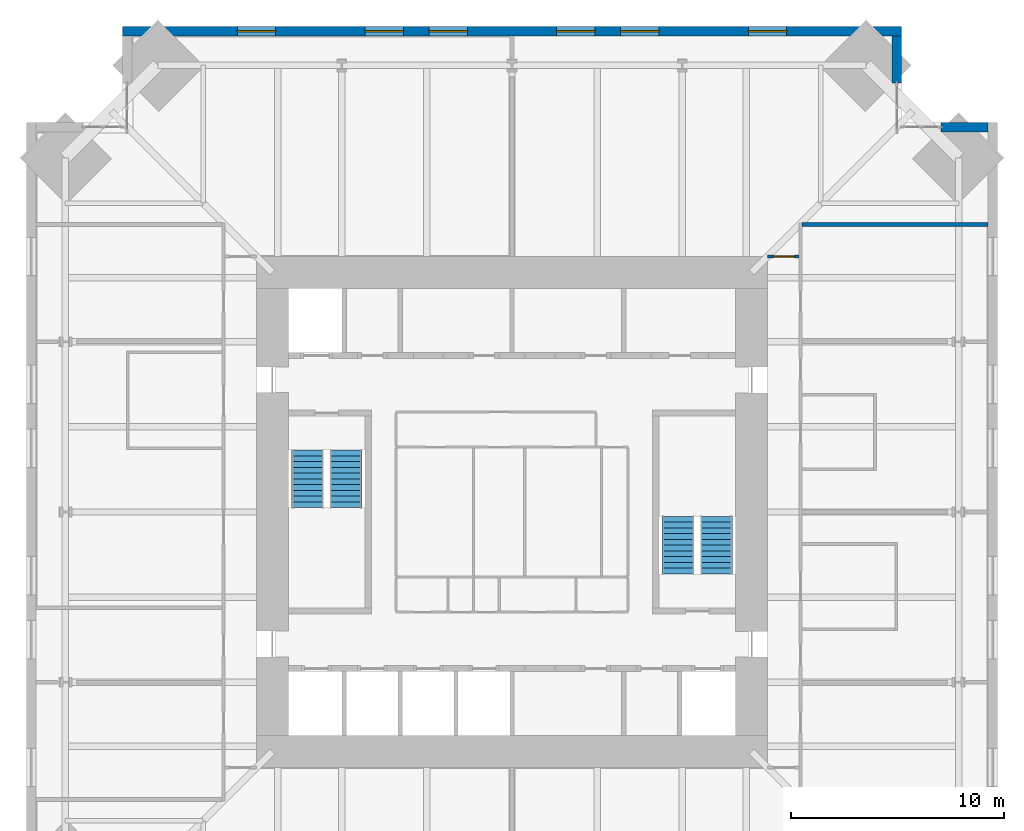
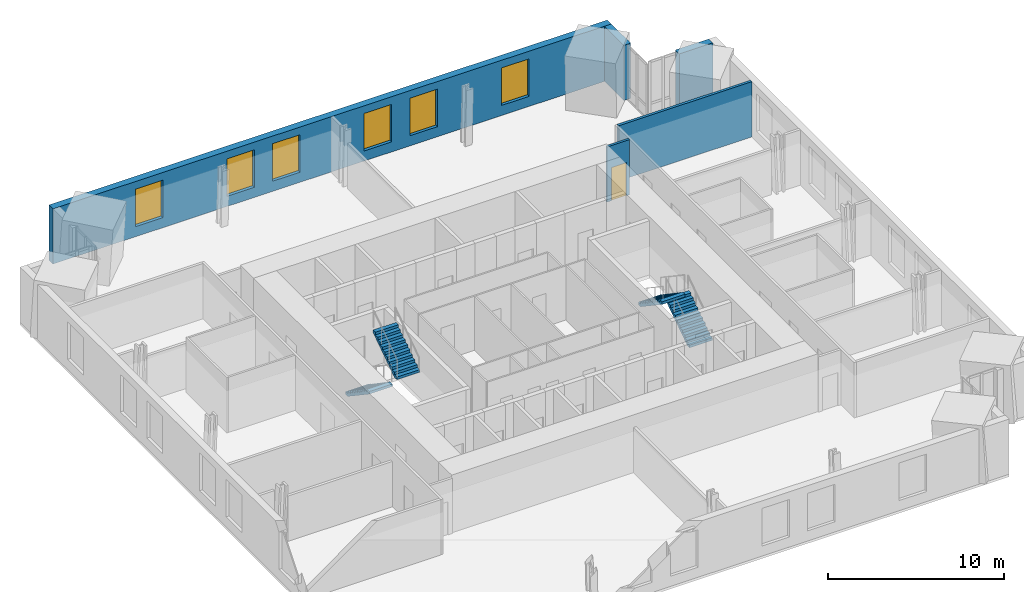
# One storey, part 14 of 15: 6 windows, 5 walls, 4 stair flights, 1 door, 7 openings, 2 elements without a shape of their own.
"""IFC4 building model written with IfcOpenShell, lengths in metres."""

from ifc_helpers import new_model, si_unit, direction, frame, frame_2d, origin, place, context, subcontext, project, spatial, polyline, rectangle, outline, extrude, material, layer, layer_set, type_object, element, fill, aggregate, save


model = new_model("IFC4")

# Units and contexts
model_context = context("Model", 3, precision=1e-05, world=origin(), true_north=direction((0.0, 1.0)))
body_context = subcontext(model_context, "Body", "Model", "MODEL_VIEW")
ifc_project = project(units=[si_unit("LENGTHUNIT", "METRE"), si_unit("AREAUNIT", "SQUARE_METRE"), si_unit("VOLUMEUNIT", "CUBIC_METRE"), si_unit("PLANEANGLEUNIT", "RADIAN"), si_unit("MASSUNIT", "GRAM", prefix="KILO")], contexts=[model_context])

# Site, building, storey
site_placement = place(None, origin())
site = spatial("IfcSite", under=ifc_project, at=site_placement, CompositionType="ELEMENT")
building_placement = place(site_placement, origin())
building = spatial("IfcBuilding", under=site, at=building_placement, Name="Peilmerk Tower", CompositionType="ELEMENT")
storey_placement = place(building_placement, frame((0.0, 0.0, 245.800048828125)))
storey = spatial("IfcBuildingStorey", under=building, at=storey_placement, Name="L54", CompositionType="ELEMENT", Elevation=245.800048828125)

# Wall, openings, windows
ifc_material_1 = material(Name="Precast concrete C45/55, board-marked finish", Category="concrete")
ifc_layer_1 = layer(ifc_material_1, 0.449951171875)
ifc_layer_set_1 = layer_set([ifc_layer_1], Name="Precast concrete C45/55, board-marked finish")
wall_type_1 = type_object("IfcWallType", Name="EW1 450 precast concrete facade wall, board-marked", PredefinedType="SOLIDWALL", material=ifc_layer_set_1)
wall_1_placement = place(storey_placement, frame((18.300048828125, 22.574951171875, 0.0), z_axis=(0.0, 0.0, 1.0), x_axis=(-1.0, 0.0, 0.0)))
wall_1 = element("IfcWall", 1, at=wall_1_placement, inside=storey, type_object=wall_type_1, Name="Facade wall N L54", PredefinedType="SOLIDWALL", context=body_context, shape_type="SweptSolid", body=[
    extrude(rectangle(XDim=36.60009765625, YDim=0.449951171875, at=frame_2d((18.300048828125, 0.0))), origin(), (0.0, 0.0, 1.0), 3.829833984375),
])
opening_1_placement = place(wall_1_placement, frame((5.39990234375, 0.0, 0.699951171875)))
opening_1 = element("IfcOpeningElement", 2, at=opening_1_placement, cuts=wall_1, Name="Opening W1", PredefinedType="OPENING", context=body_context, shape_type="SweptSolid", body=[
    extrude(rectangle(XDim=1.800048828125, YDim=2.60009765625, at=frame_2d((0.89990234375, 1.300048828125))), frame((0.0, 0.23486328125, 0.0), z_axis=(0.0, -1.0, 0.0), x_axis=(1.0, 0.0, 0.0)), (0.0, 0.0, 1.0), 0.469970703125),
])
opening_2_placement = place(wall_1_placement, frame((11.39990234375, 0.0, 0.699951171875)))
opening_2 = element("IfcOpeningElement", 3, at=opening_2_placement, cuts=wall_1, Name="Opening W1", PredefinedType="OPENING", context=body_context, shape_type="SweptSolid", body=[
    extrude(rectangle(XDim=1.800048828125, YDim=2.60009765625, at=frame_2d((0.89990234375, 1.300048828125))), frame((0.0, 0.23486328125, 0.0), z_axis=(0.0, -1.0, 0.0), x_axis=(1.0, 0.0, 0.0)), (0.0, 0.0, 1.0), 0.469970703125),
])
opening_3_placement = place(wall_1_placement, frame((14.39990234375, 0.0, 0.699951171875)))
opening_3 = element("IfcOpeningElement", 4, at=opening_3_placement, cuts=wall_1, Name="Opening W1", PredefinedType="OPENING", context=body_context, shape_type="SweptSolid", body=[
    extrude(rectangle(XDim=1.800048828125, YDim=2.60009765625, at=frame_2d((0.89990234375, 1.300048828125))), frame((0.0, 0.23486328125, 0.0), z_axis=(0.0, -1.0, 0.0), x_axis=(1.0, 0.0, 0.0)), (0.0, 0.0, 1.0), 0.469970703125),
])
opening_4_placement = place(wall_1_placement, frame((20.39990234375, 0.0, 0.699951171875)))
opening_4 = element("IfcOpeningElement", 5, at=opening_4_placement, cuts=wall_1, Name="Opening W1", PredefinedType="OPENING", context=body_context, shape_type="SweptSolid", body=[
    extrude(rectangle(XDim=1.800048828125, YDim=2.60009765625, at=frame_2d((0.89990234375, 1.300048828125))), frame((0.0, 0.23486328125, 0.0), z_axis=(0.0, -1.0, 0.0), x_axis=(1.0, 0.0, 0.0)), (0.0, 0.0, 1.0), 0.469970703125),
])
opening_5_placement = place(wall_1_placement, frame((23.39990234375, 0.0, 0.699951171875)))
opening_5 = element("IfcOpeningElement", 6, at=opening_5_placement, cuts=wall_1, Name="Opening W1", PredefinedType="OPENING", context=body_context, shape_type="SweptSolid", body=[
    extrude(rectangle(XDim=1.800048828125, YDim=2.60009765625, at=frame_2d((0.89990234375, 1.300048828125))), frame((0.0, 0.23486328125, 0.0), z_axis=(0.0, -1.0, 0.0), x_axis=(1.0, 0.0, 0.0)), (0.0, 0.0, 1.0), 0.469970703125),
])
opening_6_placement = place(wall_1_placement, frame((29.39990234375, 0.0, 0.699951171875)))
opening_6 = element("IfcOpeningElement", 7, at=opening_6_placement, cuts=wall_1, Name="Opening W1", PredefinedType="OPENING", context=body_context, shape_type="SweptSolid", body=[
    extrude(rectangle(XDim=1.800048828125, YDim=2.60009765625, at=frame_2d((0.89990234375, 1.300048828125))), frame((0.0, 0.23486328125, 0.0), z_axis=(0.0, -1.0, 0.0), x_axis=(1.0, 0.0, 0.0)), (0.0, 0.0, 1.0), 0.469970703125),
])
ifc_material_2 = material(Name="Aluminium frame, clear double glazing", Category="aluminium")
window_type = type_object("IfcWindowType", Name="W1 1800x2600 office window", PartitioningType="SINGLE_PANEL", PredefinedType="WINDOW", material=ifc_material_2)
window_1_placement = place(opening_1_placement, origin())
window_1 = element("IfcWindow", 8, at=window_1_placement, inside=storey, type_object=window_type, Name="Window W1 L54", OverallHeight=2.60009765625, OverallWidth=1.800048828125, PartitioningType="SINGLE_PANEL", PredefinedType="WINDOW", context=body_context, shape_type="SweptSolid", body=[
    extrude(rectangle(XDim=1.800048828125, YDim=2.60009765625, at=frame_2d((0.89990234375, 1.300048828125))), frame((0.0, 0.030029296875, 0.0), z_axis=(0.0, -1.0, 0.0), x_axis=(1.0, 0.0, 0.0)), (0.0, 0.0, 1.0), 0.06005859375),
])
fill(opening_1, window_1)
window_2_placement = place(opening_2_placement, origin())
window_2 = element("IfcWindow", 9, at=window_2_placement, inside=storey, type_object=window_type, Name="Window W1 L54", OverallHeight=2.60009765625, OverallWidth=1.800048828125, PartitioningType="SINGLE_PANEL", PredefinedType="WINDOW", context=body_context, shape_type="SweptSolid", body=[
    extrude(rectangle(XDim=1.800048828125, YDim=2.60009765625, at=frame_2d((0.89990234375, 1.300048828125))), frame((0.0, 0.030029296875, 0.0), z_axis=(0.0, -1.0, 0.0), x_axis=(1.0, 0.0, 0.0)), (0.0, 0.0, 1.0), 0.06005859375),
])
fill(opening_2, window_2)
window_3_placement = place(opening_3_placement, origin())
window_3 = element("IfcWindow", 10, at=window_3_placement, inside=storey, type_object=window_type, Name="Window W1 L54", OverallHeight=2.60009765625, OverallWidth=1.800048828125, PartitioningType="SINGLE_PANEL", PredefinedType="WINDOW", context=body_context, shape_type="SweptSolid", body=[
    extrude(rectangle(XDim=1.800048828125, YDim=2.60009765625, at=frame_2d((0.89990234375, 1.300048828125))), frame((0.0, 0.030029296875, 0.0), z_axis=(0.0, -1.0, 0.0), x_axis=(1.0, 0.0, 0.0)), (0.0, 0.0, 1.0), 0.06005859375),
])
fill(opening_3, window_3)
window_4_placement = place(opening_4_placement, origin())
window_4 = element("IfcWindow", 11, at=window_4_placement, inside=storey, type_object=window_type, Name="Window W1 L54", OverallHeight=2.60009765625, OverallWidth=1.800048828125, PartitioningType="SINGLE_PANEL", PredefinedType="WINDOW", context=body_context, shape_type="SweptSolid", body=[
    extrude(rectangle(XDim=1.800048828125, YDim=2.60009765625, at=frame_2d((0.89990234375, 1.300048828125))), frame((0.0, 0.030029296875, 0.0), z_axis=(0.0, -1.0, 0.0), x_axis=(1.0, 0.0, 0.0)), (0.0, 0.0, 1.0), 0.06005859375),
])
fill(opening_4, window_4)
window_5_placement = place(opening_5_placement, origin())
window_5 = element("IfcWindow", 12, at=window_5_placement, inside=storey, type_object=window_type, Name="Window W1 L54", OverallHeight=2.60009765625, OverallWidth=1.800048828125, PartitioningType="SINGLE_PANEL", PredefinedType="WINDOW", context=body_context, shape_type="SweptSolid", body=[
    extrude(rectangle(XDim=1.800048828125, YDim=2.60009765625, at=frame_2d((0.89990234375, 1.300048828125))), frame((0.0, 0.030029296875, 0.0), z_axis=(0.0, -1.0, 0.0), x_axis=(1.0, 0.0, 0.0)), (0.0, 0.0, 1.0), 0.06005859375),
])
fill(opening_5, window_5)
window_6_placement = place(opening_6_placement, origin())
window_6 = element("IfcWindow", 13, at=window_6_placement, inside=storey, type_object=window_type, Name="Window W1 L54", OverallHeight=2.60009765625, OverallWidth=1.800048828125, PartitioningType="SINGLE_PANEL", PredefinedType="WINDOW", context=body_context, shape_type="SweptSolid", body=[
    extrude(rectangle(XDim=1.800048828125, YDim=2.60009765625, at=frame_2d((0.89990234375, 1.300048828125))), frame((0.0, 0.030029296875, 0.0), z_axis=(0.0, -1.0, 0.0), x_axis=(1.0, 0.0, 0.0)), (0.0, 0.0, 1.0), 0.06005859375),
])
fill(opening_6, window_6)

# Walls
for number, where, z_axis, x_axis, name in (
    (14, (18.074951171875, 20.153564453125, 0.0), (0.0, 0.0, 1.0), (0.0, 1.0, 0.0), "Facade wall NEA L54"),
    (15, (20.153564453125, 18.074951171875, 0.0), (0.0, 0.0, 1.0), (1.0, 0.0, 0.0), "Facade wall NEB L54"),
):
    element("IfcWall", number, at=place(storey_placement, frame(where, z_axis=z_axis, x_axis=x_axis)), inside=storey, type_object=wall_type_1, Name=name, PredefinedType="SOLIDWALL", context=body_context, shape_type="SweptSolid", body=[
        extrude(rectangle(XDim=2.196533203125, YDim=0.449951171875, at=frame_2d((1.09814453125, 0.0))), origin(), (0.0, 0.0, 1.0), 3.829833984375),
    ])

# Wall, opening, door
ifc_material_3 = material(Name="Calcium silicate block", Category="masonry")
ifc_layer_2 = layer(ifc_material_3, 0.14990234375)
ifc_layer_set_2 = layer_set([ifc_layer_2], Name="Calcium silicate block")
wall_type_2 = type_object("IfcWallType", Name="IW1 150 corridor partition, EI 60", PredefinedType="PARTITIONING", material=ifc_layer_set_2)
wall_2_placement = place(storey_placement, frame((12.0, 12.0, 0.0), z_axis=(0.0, 0.0, 1.0), x_axis=(1.0, 0.0, 0.0)))
wall_2 = element("IfcWall", 16, at=wall_2_placement, inside=storey, type_object=wall_type_2, Name="Corridor wall NE L54", PredefinedType="PARTITIONING", context=body_context, shape_type="SweptSolid", body=[
    extrude(rectangle(XDim=1.47509765625, YDim=0.14990234375, at=frame_2d((0.737548828125, 0.0))), origin(), (0.0, 0.0, 1.0), 3.829833984375),
])
opening_7_placement = place(wall_2_placement, frame((0.27490234375, 0.0, 0.0)))
opening_7 = element("IfcOpeningElement", 17, at=opening_7_placement, cuts=wall_2, Name="Opening D1", PredefinedType="OPENING", context=body_context, shape_type="SweptSolid", body=[
    extrude(rectangle(XDim=1.0, YDim=2.300048828125, at=frame_2d((0.5, 1.14990234375))), frame((0.0, 0.0849609375, 0.0), z_axis=(0.0, -1.0, 0.0), x_axis=(1.0, 0.0, 0.0)), (0.0, 0.0, 1.0), 0.169921875),
])
ifc_material_4 = material(Name="Timber door in steel frame", Category="steel")
door_type = type_object("IfcDoorType", Name="D1 1000x2300 room door, EI2 30", OperationType="SINGLE_SWING_LEFT", PredefinedType="DOOR", material=ifc_material_4)
door_placement = place(opening_7_placement, origin())
door = element("IfcDoor", 18, at=door_placement, inside=storey, type_object=door_type, Name="Door Client lounge L54", OperationType="SINGLE_SWING_LEFT", OverallHeight=2.300048828125, OverallWidth=1.0, PredefinedType="DOOR", context=body_context, shape_type="SweptSolid", body=[
    extrude(rectangle(XDim=1.0, YDim=2.300048828125, at=frame_2d((0.5, 1.14990234375))), frame((0.0, 0.02490234375, 0.0), z_axis=(0.0, -1.0, 0.0), x_axis=(1.0, 0.0, 0.0)), (0.0, 0.0, 1.0), 0.050048828125),
])
fill(opening_7, door)

# Wall
ifc_layer_3 = layer(ifc_material_3, 0.175048828125)
ifc_layer_set_3 = layer_set([ifc_layer_3], Name="Calcium silicate block")
wall_type_3 = type_object("IfcWallType", Name="IW8 175 tenant separating wall, EI 60", PredefinedType="PARTITIONING", material=ifc_layer_set_3)
wall_3_placement = place(storey_placement, frame((13.625, 13.5, 0.0), z_axis=(0.0, 0.0, 1.0), x_axis=(1.0, 0.0, 0.0)))
element("IfcWall", 19, at=wall_3_placement, inside=storey, type_object=wall_type_3, Name="Tenant separating wall NE L54", PredefinedType="PARTITIONING", context=body_context, shape_type="SweptSolid", body=[
    extrude(rectangle(XDim=8.72509765625, YDim=0.175048828125, at=frame_2d((4.362548828125, 0.0))), origin(), (0.0, 0.0, 1.0), 3.829833984375),
])

# Stair, stair flights
ifc_material_5 = material(Name="Precast concrete C45/55", Category="concrete")
stair_type_1 = type_object("IfcStairType", Name="ST1 22 risers of 181.8", PredefinedType="HALF_TURN_STAIR", material=ifc_material_5)
stair_1_placement = place(storey_placement, origin())
stair_1 = element("IfcStair", 20, at=stair_1_placement, inside=storey, type_object=stair_type_1, Name="Stair 1 L54 to L55", PredefinedType="HALF_TURN_STAIR")
stair_flight_type = type_object("IfcStairFlightType", Name="SF11 flight, 11 risers of 181.8", PredefinedType="STRAIGHT", material=ifc_material_5)
stair_flight_1_placement = place(storey_placement, frame((-9.60009765625, 2.89990234375, 0.0), z_axis=(0.0, 0.0, 1.0), x_axis=(0.0, -1.0, 0.0)))
stair_flight_1 = element("IfcStairFlight", 21, at=stair_flight_1_placement, type_object=stair_flight_type, Name="ST1 flight 1", NumberOfRisers=11, NumberOfTreads=10, PredefinedType="STRAIGHT", RiserHeight=0.181818182, TreadLength=0.27, context=body_context, shape_type="SweptSolid", body=[
    extrude(outline(polyline([(0.0, 0.0), (0.0, 0.181884765625), (0.27001953125, 0.181884765625), (0.27001953125, 0.363525390625), (0.5400390625, 0.363525390625), (0.5400390625, 0.54541015625), (0.81005859375, 0.54541015625), (0.81005859375, 0.727294921875), (1.080078125, 0.727294921875), (1.080078125, 0.9091796875), (1.35009765625, 0.9091796875), (1.35009765625, 1.0908203125), (1.6201171875, 1.0908203125), (1.6201171875, 1.272705078125), (1.889892578125, 1.272705078125), (1.889892578125, 1.45458984375), (2.159912109375, 1.45458984375), (2.159912109375, 1.636474609375), (2.429931640625, 1.636474609375), (2.429931640625, 1.818115234375), (2.699951171875, 1.818115234375), (2.699951171875, 2.0), (2.699951171875, 1.637451171875), (0.268310546875, 0.0), (0.0, 0.0)])), frame((0.0, 0.75, 0.0), z_axis=(0.0, -1.0, 0.0), x_axis=(1.0, 0.0, 0.0)), (0.0, 0.0, 1.0), 1.5),
])
stair_flight_2_placement = place(storey_placement, frame((-7.800048828125, 0.199951171875, 2.0), z_axis=(0.0, 0.0, 1.0), x_axis=(0.0, 1.0, 0.0)))
stair_flight_2 = element("IfcStairFlight", 22, at=stair_flight_2_placement, type_object=stair_flight_type, Name="ST1 flight 2", NumberOfRisers=11, NumberOfTreads=10, PredefinedType="STRAIGHT", RiserHeight=0.181818182, TreadLength=0.27, context=body_context, shape_type="SweptSolid", body=[
    extrude(outline(polyline([(0.0, 0.0), (0.0, 0.181884765625), (0.27001953125, 0.181884765625), (0.27001953125, 0.363525390625), (0.5400390625, 0.363525390625), (0.5400390625, 0.54541015625), (0.81005859375, 0.54541015625), (0.81005859375, 0.727294921875), (1.080078125, 0.727294921875), (1.080078125, 0.9091796875), (1.35009765625, 0.9091796875), (1.35009765625, 1.0908203125), (1.6201171875, 1.0908203125), (1.6201171875, 1.272705078125), (1.889892578125, 1.272705078125), (1.889892578125, 1.45458984375), (2.159912109375, 1.45458984375), (2.159912109375, 1.636474609375), (2.429931640625, 1.636474609375), (2.429931640625, 1.818115234375), (2.699951171875, 1.818115234375), (2.699951171875, 2.0), (2.699951171875, 1.637451171875), (0.268310546875, 0.0), (0.0, 0.0)])), frame((0.0, 0.75, 0.0), z_axis=(0.0, -1.0, 0.0), x_axis=(1.0, 0.0, 0.0)), (0.0, 0.0, 1.0), 1.5),
])
aggregate(stair_1, [stair_flight_1, stair_flight_2])

stair_type_2 = type_object("IfcStairType", Name="ST2 22 risers of 181.8", PredefinedType="HALF_TURN_STAIR", material=ifc_material_5)
stair_2_placement = place(storey_placement, origin())
stair_2 = element("IfcStair", 23, at=stair_2_placement, inside=storey, type_object=stair_type_2, Name="Stair 2 L54 to L55", PredefinedType="HALF_TURN_STAIR")
stair_flight_3_placement = place(storey_placement, frame((9.60009765625, -2.89990234375, 0.0), z_axis=(0.0, 0.0, 1.0), x_axis=(0.0, 1.0, 0.0)))
stair_flight_3 = element("IfcStairFlight", 24, at=stair_flight_3_placement, type_object=stair_flight_type, Name="ST2 flight 1", NumberOfRisers=11, NumberOfTreads=10, PredefinedType="STRAIGHT", RiserHeight=0.181818182, TreadLength=0.27, context=body_context, shape_type="SweptSolid", body=[
    extrude(outline(polyline([(0.0, 0.0), (0.0, 0.181884765625), (0.27001953125, 0.181884765625), (0.27001953125, 0.363525390625), (0.5400390625, 0.363525390625), (0.5400390625, 0.54541015625), (0.81005859375, 0.54541015625), (0.81005859375, 0.727294921875), (1.080078125, 0.727294921875), (1.080078125, 0.9091796875), (1.35009765625, 0.9091796875), (1.35009765625, 1.0908203125), (1.6201171875, 1.0908203125), (1.6201171875, 1.272705078125), (1.889892578125, 1.272705078125), (1.889892578125, 1.45458984375), (2.159912109375, 1.45458984375), (2.159912109375, 1.636474609375), (2.429931640625, 1.636474609375), (2.429931640625, 1.818115234375), (2.699951171875, 1.818115234375), (2.699951171875, 2.0), (2.699951171875, 1.637451171875), (0.268310546875, 0.0), (0.0, 0.0)])), frame((0.0, 0.75, 0.0), z_axis=(0.0, -1.0, 0.0), x_axis=(1.0, 0.0, 0.0)), (0.0, 0.0, 1.0), 1.5),
])
stair_flight_4_placement = place(storey_placement, frame((7.800048828125, -0.199951171875, 2.0), z_axis=(0.0, 0.0, 1.0), x_axis=(0.0, -1.0, 0.0)))
stair_flight_4 = element("IfcStairFlight", 25, at=stair_flight_4_placement, type_object=stair_flight_type, Name="ST2 flight 2", NumberOfRisers=11, NumberOfTreads=10, PredefinedType="STRAIGHT", RiserHeight=0.181818182, TreadLength=0.27, context=body_context, shape_type="SweptSolid", body=[
    extrude(outline(polyline([(0.0, 0.0), (0.0, 0.181884765625), (0.27001953125, 0.181884765625), (0.27001953125, 0.363525390625), (0.5400390625, 0.363525390625), (0.5400390625, 0.54541015625), (0.81005859375, 0.54541015625), (0.81005859375, 0.727294921875), (1.080078125, 0.727294921875), (1.080078125, 0.9091796875), (1.35009765625, 0.9091796875), (1.35009765625, 1.0908203125), (1.6201171875, 1.0908203125), (1.6201171875, 1.272705078125), (1.889892578125, 1.272705078125), (1.889892578125, 1.45458984375), (2.159912109375, 1.45458984375), (2.159912109375, 1.636474609375), (2.429931640625, 1.636474609375), (2.429931640625, 1.818115234375), (2.699951171875, 1.818115234375), (2.699951171875, 2.0), (2.699951171875, 1.637451171875), (0.268310546875, 0.0), (0.0, 0.0)])), frame((0.0, 0.75, 0.0), z_axis=(0.0, -1.0, 0.0), x_axis=(1.0, 0.0, 0.0)), (0.0, 0.0, 1.0), 1.5),
])
aggregate(stair_2, [stair_flight_3, stair_flight_4])

save(model, "model.ifc")
